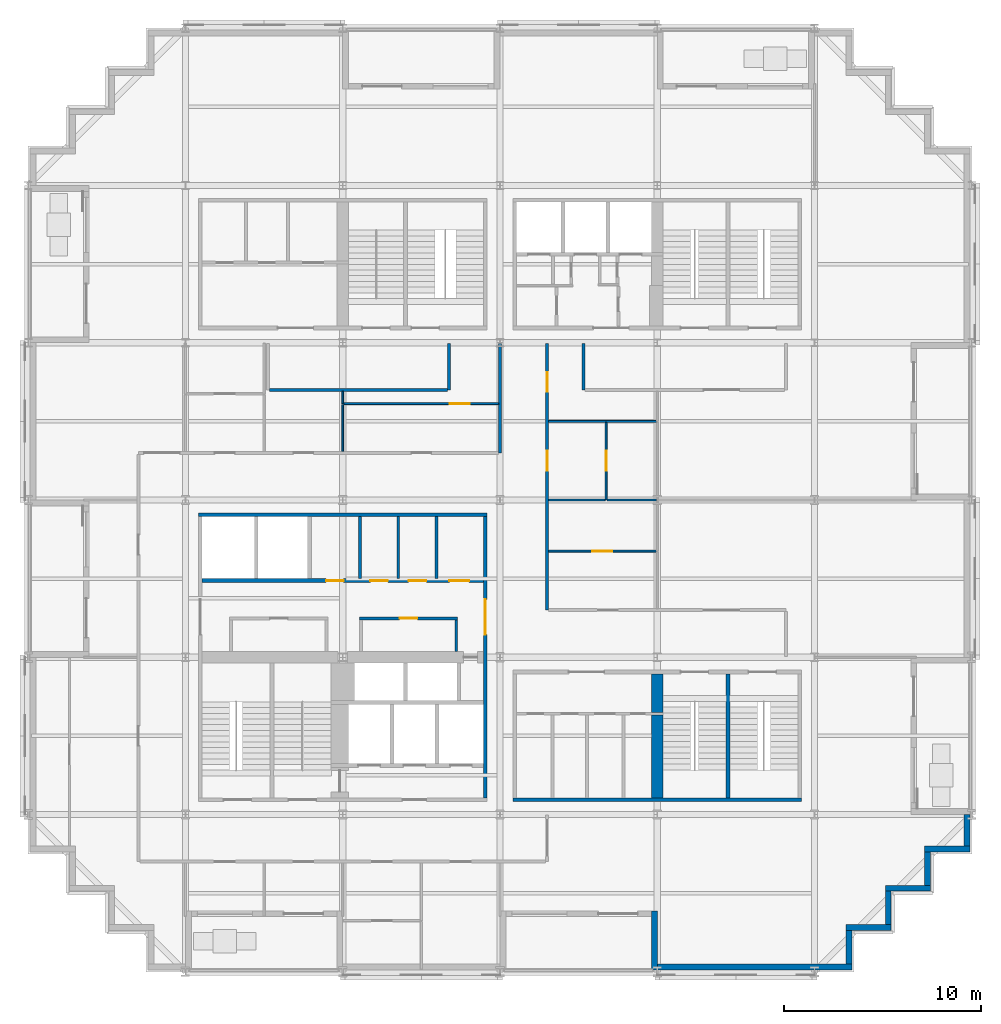
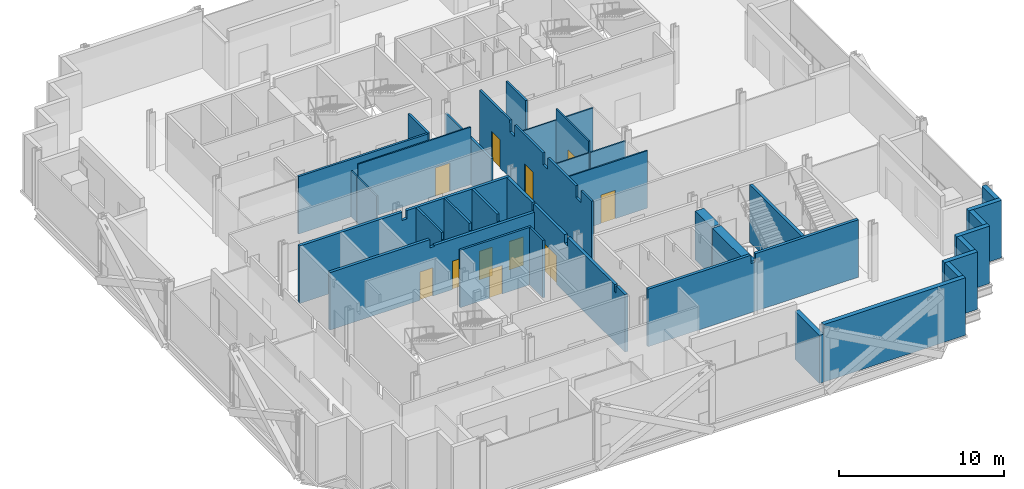
# One storey, part 7 of 14: 35 walls, 11 doors, 11 openings.
"""IFC4 building model written with IfcOpenShell, lengths in metres."""

from ifc_helpers import new_model, si_unit, direction, frame, frame_2d, origin, place, context, subcontext, project, spatial, polyline, rectangle, outline, extrude, material, layer, layer_set, type_object, element, fill, save


model = new_model("IFC4")

# Units and contexts
model_context = context("Model", 3, precision=1e-05, world=origin(), true_north=direction((0.0, 1.0)))
body_context = subcontext(model_context, "Body", "Model", "MODEL_VIEW")
ifc_project = project(units=[si_unit("LENGTHUNIT", "METRE"), si_unit("AREAUNIT", "SQUARE_METRE"), si_unit("VOLUMEUNIT", "CUBIC_METRE"), si_unit("PLANEANGLEUNIT", "RADIAN"), si_unit("MASSUNIT", "GRAM", prefix="KILO")], contexts=[model_context])

# Site, building, storey
site_placement = place(None, origin())
site = spatial("IfcSite", under=ifc_project, at=site_placement, CompositionType="ELEMENT")
building_placement = place(site_placement, origin())
building = spatial("IfcBuilding", under=site, at=building_placement, Name="Immortelle Media Tower", CompositionType="ELEMENT")
storey_placement = place(building_placement, frame((0.0, 0.0, 43.60009765625)))
storey = spatial("IfcBuildingStorey", under=building, at=storey_placement, Name="L06", CompositionType="ELEMENT", Elevation=43.60009765625)

# Wall
ifc_material_1 = material(Name="Fire-rated gypsum board", Category="gypsum")
ifc_layer_1 = layer(ifc_material_1, 0.02490234375)
ifc_material_2 = material(Name="Steel ASTM A653 SS Gr 50 stud frame with mineral wool", Category="steel")
ifc_layer_2 = layer(ifc_material_2, 0.10009765625)
ifc_layer_3 = layer(ifc_material_1, 0.02490234375)
ifc_layer_set_1 = layer_set([ifc_layer_1, ifc_layer_2, ifc_layer_3], Name="Steel ASTM A653 SS Gr 50 stud frame with mineral wool")
wall_type_1 = type_object("IfcWallType", Name="Core partition 150", PredefinedType="PARTITIONING", material=ifc_layer_set_1)
wall_1_placement = place(storey_placement, frame((16.875, 20.0, 0.0), z_axis=(0.0, 0.0, 1.0), x_axis=(0.0, 1.0, 0.0)))
element("IfcWall", 1, at=wall_1_placement, inside=storey, type_object=wall_type_1, Name="Core partition SW", PredefinedType="PARTITIONING", context=body_context, shape_type="SweptSolid", body=[
    extrude(outline(polyline([(0.0, 0.0), (3.14990234375, 0.0), (3.14990234375, 4.25), (0.08837890625, 4.25), (0.08740234375, 3.7080078125), (0.0, 3.7080078125), (0.0, 0.0)])), frame((0.0, 0.074951171875, 0.0), z_axis=(0.0, -1.0, 0.0), x_axis=(1.0, 0.0, 0.0)), (0.0, 0.0, 1.0), 0.14990234375),
])

# Wall, opening, door
wall_2_placement = place(storey_placement, frame((16.85009765625, 17.97509765625, 0.0), z_axis=(0.0, 0.0, 1.0), x_axis=(1.0, 0.0, 0.0)))
wall_2 = element("IfcWall", 2, at=wall_2_placement, inside=storey, type_object=wall_type_1, Name="Core partition SW", PredefinedType="PARTITIONING", context=body_context, shape_type="SweptSolid", body=[
    extrude(rectangle(XDim=5.0, YDim=0.14990234375, at=frame_2d((2.5, 0.0))), origin(), (0.0, 0.0, 1.0), 4.25),
])
opening_1_placement = place(wall_2_placement, frame((2.949951171875, 0.0, 0.0), z_axis=(0.0, 0.0, 1.0), x_axis=(-1.0, 0.0, 0.0)))
opening_1 = element("IfcOpeningElement", 3, at=opening_1_placement, cuts=wall_2, Name="Opening N1-K037", PredefinedType="OPENING", context=body_context, shape_type="SweptSolid", body=[
    extrude(rectangle(XDim=0.89990234375, YDim=2.10009765625, at=frame_2d((0.449951171875, 1.050048828125))), frame((0.0, 0.0849609375, 0.0), z_axis=(0.0, -1.0, 0.0), x_axis=(1.0, 0.0, 0.0)), (0.0, 0.0, 1.0), 0.169921875),
])
ifc_material_3 = material(Name="Timber", Category="wood")
door_type_1 = type_object("IfcDoorType", Name="Room door 900 x 2100", OperationType="NOTDEFINED", PredefinedType="NOTDEFINED", material=ifc_material_3)
door_1_placement = place(opening_1_placement, origin())
door_1 = element("IfcDoor", 4, at=door_1_placement, inside=storey, type_object=door_type_1, Name="Room N1-K037", OperationType="SINGLE_SWING_LEFT", OverallHeight=2.10009765625, OverallWidth=0.89990234375, PredefinedType="NOTDEFINED", context=body_context, shape_type="SweptSolid", body=[
    extrude(rectangle(XDim=0.89990234375, YDim=2.10009765625, at=frame_2d((0.449951171875, 1.050048828125))), frame((0.0, 0.02490234375, 0.0), z_axis=(0.0, -1.0, 0.0), x_axis=(1.0, 0.0, 0.0)), (0.0, 0.0, 1.0), 0.050048828125),
])
fill(opening_1, door_1)

# Walls
for number, where, z_axis, x_axis, name in (
    (5, (18.824951171875, 20.0, 0.0), (0.0, 0.0, 1.0), (0.0, 1.0, 0.0), "Core partition SW"),
    (6, (20.77490234375, 20.0, 0.0), (0.0, 0.0, 1.0), (0.0, 1.0, 0.0), "Core partition SW"),
):
    element("IfcWall", number, at=place(storey_placement, frame(where, z_axis=z_axis, x_axis=x_axis)), inside=storey, type_object=wall_type_1, Name=name, PredefinedType="PARTITIONING", context=body_context, shape_type="SweptSolid", body=[
        extrude(outline(polyline([(0.0, 0.0), (3.14990234375, 0.0), (3.14990234375, 4.25), (0.08837890625, 4.25), (0.08740234375, 3.7080078125), (0.0, 3.7080078125), (0.0, 0.0)])), frame((0.0, 0.074951171875, 0.0), z_axis=(0.0, -1.0, 0.0), x_axis=(1.0, 0.0, 0.0)), (0.0, 0.0, 1.0), 0.14990234375),
    ])
wall_3_placement = place(storey_placement, frame((21.77490234375, 16.300048828125, 0.0), z_axis=(0.0, 0.0, 1.0), x_axis=(0.0, 1.0, 0.0)))
element("IfcWall", 7, at=wall_3_placement, inside=storey, type_object=wall_type_1, Name="Core partition SW", PredefinedType="PARTITIONING", context=body_context, shape_type="SweptSolid", body=[
    extrude(rectangle(XDim=1.599853515625, YDim=0.14990234375, at=frame_2d((0.7998046875, 0.0))), origin(), (0.0, 0.0, 1.0), 4.25),
])
ifc_layer_4 = layer(ifc_material_1, 0.03759765625)
ifc_layer_5 = layer(ifc_material_2, 0.125)
ifc_layer_6 = layer(ifc_material_1, 0.03759765625)
ifc_layer_set_2 = layer_set([ifc_layer_4, ifc_layer_5, ifc_layer_6], Name="Steel ASTM A653 SS Gr 50 stud frame with mineral wool")
wall_type_2 = type_object("IfcWallType", Name="Core shaft wall 200", PredefinedType="PARTITIONING", material=ifc_layer_set_2)
wall_4_placement = place(storey_placement, frame((8.64990234375, 23.25, 0.0), z_axis=(0.0, 0.0, 1.0), x_axis=(1.0, 0.0, 0.0)))
element("IfcWall", 8, at=wall_4_placement, inside=storey, type_object=wall_type_2, Name="Core shaft wall SW", PredefinedType="PARTITIONING", context=body_context, shape_type="SweptSolid", body=[
    extrude(outline(polyline([(0.0, 0.0), (14.7001953125, 0.0), (14.699951171875, 4.25), (7.51708984375, 4.25), (7.51611328125, 3.6318359375), (7.18408203125, 3.6318359375), (7.18310546875, 4.25), (0.0, 4.25), (0.0, 0.0)])), frame((0.0, 0.10009765625, 0.0), z_axis=(0.0, -1.0, 0.0), x_axis=(1.0, 0.0, 0.0)), (0.0, 0.0, 1.0), 0.199951171875),
])

# Wall, openings, doors
wall_5_placement = place(storey_placement, frame((8.85009765625, 19.89990234375, 0.0), z_axis=(0.0, 0.0, 1.0), x_axis=(1.0, 0.0, 0.0)))
wall_5 = element("IfcWall", 9, at=wall_5_placement, inside=storey, type_object=wall_type_2, Name="Core shaft wall SW", PredefinedType="PARTITIONING", context=body_context, shape_type="SweptSolid", body=[
    extrude(outline(polyline([(0.0, 0.0), (14.2998046875, 0.0), (14.300048828125, 3.7080078125), (7.31689453125, 3.7080078125), (7.31591796875, 3.6318359375), (6.98388671875, 3.6318359375), (6.98291015625, 4.25), (0.0, 4.25), (0.0, 0.0)])), frame((0.0, 0.10009765625, 0.0), z_axis=(0.0, -1.0, 0.0), x_axis=(1.0, 0.0, 0.0)), (0.0, 0.0, 1.0), 0.199951171875),
])
opening_2_placement = place(wall_5_placement, frame((6.300048828125, 0.0, 0.0)))
opening_2 = element("IfcOpeningElement", 10, at=opening_2_placement, cuts=wall_5, Name="Opening N1-K035", PredefinedType="OPENING", context=body_context, shape_type="SweptSolid", body=[
    extrude(rectangle(XDim=0.89990234375, YDim=2.10009765625, at=frame_2d((0.449951171875, 1.050048828125))), frame((0.0, 0.10986328125, 0.0), z_axis=(0.0, -1.0, 0.0), x_axis=(1.0, 0.0, 0.0)), (0.0, 0.0, 1.0), 0.219970703125),
])
opening_3_placement = place(wall_5_placement, frame((8.550048828125, 0.0, 0.0)))
opening_3 = element("IfcOpeningElement", 11, at=opening_3_placement, cuts=wall_5, Name="Opening N1-K036", PredefinedType="OPENING", context=body_context, shape_type="SweptSolid", body=[
    extrude(rectangle(XDim=0.89990234375, YDim=2.10009765625, at=frame_2d((0.449951171875, 1.050048828125))), frame((0.0, 0.10986328125, 0.0), z_axis=(0.0, -1.0, 0.0), x_axis=(1.0, 0.0, 0.0)), (0.0, 0.0, 1.0), 0.219970703125),
])
opening_4_placement = place(wall_5_placement, frame((10.5, 0.0, 0.0)))
opening_4 = element("IfcOpeningElement", 12, at=opening_4_placement, cuts=wall_5, Name="Opening N1-K038", PredefinedType="OPENING", context=body_context, shape_type="SweptSolid", body=[
    extrude(rectangle(XDim=0.89990234375, YDim=2.10009765625, at=frame_2d((0.449951171875, 1.050048828125))), frame((0.0, 0.10986328125, 0.0), z_axis=(0.0, -1.0, 0.0), x_axis=(1.0, 0.0, 0.0)), (0.0, 0.0, 1.0), 0.219970703125),
])
opening_5_placement = place(wall_5_placement, frame((12.574951171875, 0.0, 0.0)))
opening_5 = element("IfcOpeningElement", 13, at=opening_5_placement, cuts=wall_5, Name="Opening N1-K039", PredefinedType="OPENING", context=body_context, shape_type="SweptSolid", body=[
    extrude(rectangle(XDim=1.0, YDim=2.10009765625, at=frame_2d((0.5, 1.050048828125))), frame((0.0, 0.10986328125, 0.0), z_axis=(0.0, -1.0, 0.0), x_axis=(1.0, 0.0, 0.0)), (0.0, 0.0, 1.0), 0.219970703125),
])
door_type_2 = type_object("IfcDoorType", Name="Accessible toilet door 1000 x 2100", OperationType="NOTDEFINED", PredefinedType="NOTDEFINED", material=ifc_material_3)
door_2_placement = place(opening_5_placement, origin())
door_2 = element("IfcDoor", 14, at=door_2_placement, inside=storey, type_object=door_type_2, Name="Accessible toilet N1-K039", OperationType="SINGLE_SWING_LEFT", OverallHeight=2.10009765625, OverallWidth=1.0, PredefinedType="NOTDEFINED", context=body_context, shape_type="SweptSolid", body=[
    extrude(rectangle(XDim=1.0, YDim=2.10009765625, at=frame_2d((0.5, 1.050048828125))), frame((0.0, 0.02490234375, 0.0), z_axis=(0.0, -1.0, 0.0), x_axis=(1.0, 0.0, 0.0)), (0.0, 0.0, 1.0), 0.050048828125),
])
fill(opening_5, door_2)
door_3_placement = place(opening_2_placement, origin())
door_3 = element("IfcDoor", 15, at=door_3_placement, inside=storey, type_object=door_type_1, Name="Room N1-K035", OperationType="SINGLE_SWING_LEFT", OverallHeight=2.10009765625, OverallWidth=0.89990234375, PredefinedType="NOTDEFINED", context=body_context, shape_type="SweptSolid", body=[
    extrude(rectangle(XDim=0.89990234375, YDim=2.10009765625, at=frame_2d((0.449951171875, 1.050048828125))), frame((0.0, 0.02490234375, 0.0), z_axis=(0.0, -1.0, 0.0), x_axis=(1.0, 0.0, 0.0)), (0.0, 0.0, 1.0), 0.050048828125),
])
fill(opening_2, door_3)
door_type_3 = type_object("IfcDoorType", Name="Toilet door 900 x 2100", OperationType="NOTDEFINED", PredefinedType="NOTDEFINED", material=ifc_material_3)
door_4_placement = place(opening_3_placement, origin())
door_4 = element("IfcDoor", 16, at=door_4_placement, inside=storey, type_object=door_type_3, Name="Toilet N1-K036", OperationType="SINGLE_SWING_RIGHT", OverallHeight=2.10009765625, OverallWidth=0.89990234375, PredefinedType="NOTDEFINED", context=body_context, shape_type="SweptSolid", body=[
    extrude(rectangle(XDim=0.89990234375, YDim=2.10009765625, at=frame_2d((0.449951171875, 1.050048828125))), frame((0.0, 0.02490234375, 0.0), z_axis=(0.0, -1.0, 0.0), x_axis=(1.0, 0.0, 0.0)), (0.0, 0.0, 1.0), 0.050048828125),
])
fill(opening_3, door_4)
door_5_placement = place(opening_4_placement, origin())
door_5 = element("IfcDoor", 17, at=door_5_placement, inside=storey, type_object=door_type_3, Name="Toilet N1-K038", OperationType="SINGLE_SWING_RIGHT", OverallHeight=2.10009765625, OverallWidth=0.89990234375, PredefinedType="NOTDEFINED", context=body_context, shape_type="SweptSolid", body=[
    extrude(rectangle(XDim=0.89990234375, YDim=2.10009765625, at=frame_2d((0.449951171875, 1.050048828125))), frame((0.0, 0.02490234375, 0.0), z_axis=(0.0, -1.0, 0.0), x_axis=(1.0, 0.0, 0.0)), (0.0, 0.0, 1.0), 0.050048828125),
])
fill(opening_4, door_5)

# Wall, opening, door
wall_6_placement = place(storey_placement, frame((23.25, 8.85009765625, 0.0), z_axis=(0.0, 0.0, 1.0), x_axis=(0.0, 1.0, 0.0)))
wall_6 = element("IfcWall", 18, at=wall_6_placement, inside=storey, type_object=wall_type_2, Name="Core shaft wall SW", PredefinedType="PARTITIONING", context=body_context, shape_type="SweptSolid", body=[
    extrude(outline(polyline([(0.0, 0.0), (14.2998046875, 0.0), (14.300048828125, 4.25), (11.238525390625, 4.25), (11.237548828125, 3.7080078125), (11.0625, 3.7080078125), (11.0615234375, 4.25), (7.31689453125, 4.25), (7.31591796875, 3.6318359375), (6.98388671875, 3.6318359375), (6.98291015625, 4.25), (1.238525390625, 4.25), (1.237548828125, 3.7080078125), (1.0625, 3.7080078125), (1.0615234375, 4.25), (0.0, 4.25), (0.0, 0.0)])), frame((0.0, 0.10009765625, 0.0), z_axis=(0.0, -1.0, 0.0), x_axis=(1.0, 0.0, 0.0)), (0.0, 0.0, 1.0), 0.199951171875),
])
opening_6_placement = place(wall_6_placement, frame((8.300048828125, 0.0, 0.0)))
opening_6 = element("IfcOpeningElement", 19, at=opening_6_placement, cuts=wall_6, Name="Opening N1-K014", PredefinedType="OPENING", context=body_context, shape_type="SweptSolid", body=[
    extrude(rectangle(XDim=1.800048828125, YDim=2.10009765625, at=frame_2d((0.89990234375, 1.050048828125))), frame((0.0, 0.10986328125, 0.0), z_axis=(0.0, -1.0, 0.0), x_axis=(1.0, 0.0, 0.0)), (0.0, 0.0, 1.0), 0.219970703125),
])
ifc_material_4 = material(Name="Galvanised steel door leaf and frame ASTM A653", Category="steel")
door_type_4 = type_object("IfcDoorType", Name="Lift lobby door 1800 x 2100", OperationType="DOUBLE_DOOR_SINGLE_SWING", PredefinedType="NOTDEFINED", material=ifc_material_4)
door_6_placement = place(opening_6_placement, origin())
door_6 = element("IfcDoor", 20, at=door_6_placement, inside=storey, type_object=door_type_4, Name="Lift lobby N1-K014", OperationType="DOUBLE_DOOR_SINGLE_SWING", OverallHeight=2.10009765625, OverallWidth=1.800048828125, PredefinedType="NOTDEFINED", context=body_context, shape_type="SweptSolid", body=[
    extrude(rectangle(XDim=1.800048828125, YDim=2.10009765625, at=frame_2d((0.89990234375, 1.050048828125))), frame((0.0, 0.02490234375, 0.0), z_axis=(0.0, -1.0, 0.0), x_axis=(1.0, 0.0, 0.0)), (0.0, 0.0, 1.0), 0.050048828125),
])
fill(opening_6, door_6)

# Wall, openings, doors
ifc_layer_7 = layer(ifc_material_1, 0.012451171875)
ifc_layer_8 = layer(ifc_material_2, 0.125)
ifc_layer_9 = layer(ifc_material_1, 0.012451171875)
ifc_layer_set_3 = layer_set([ifc_layer_7, ifc_layer_8, ifc_layer_9], Name="Steel ASTM A653 SS Gr 50 stud frame with mineral wool")
wall_type_3 = type_object("IfcWallType", Name="Corridor wall 150", PredefinedType="PARTITIONING", material=ifc_layer_set_3)
wall_7_placement = place(storey_placement, frame((26.39990234375, 18.39990234375, 0.0), z_axis=(0.0, 0.0, 1.0), x_axis=(0.0, 1.0, 0.0)))
wall_7 = element("IfcWall", 21, at=wall_7_placement, inside=storey, type_object=wall_type_3, Name="Partition L06-016", PredefinedType="PARTITIONING", context=body_context, shape_type="SweptSolid", body=[
    extrude(outline(polyline([(0.0, 0.0), (13.570068359375, 0.0), (13.570068359375, 4.25), (9.89990234375, 4.25), (9.89794921875, 3.390869140625), (9.302001953125, 3.390869140625), (9.300048828125, 4.25), (5.89990234375, 4.25), (5.89794921875, 3.390869140625), (5.302001953125, 3.390869140625), (5.300048828125, 4.25), (1.89990234375, 4.25), (1.89794921875, 3.390869140625), (1.302001953125, 3.390869140625), (1.300048828125, 4.25), (0.0, 4.25), (0.0, 0.0)])), frame((0.0, 0.074951171875, 0.0), z_axis=(0.0, -1.0, 0.0), x_axis=(1.0, 0.0, 0.0)), (0.0, 0.0, 1.0), 0.14990234375),
])
opening_7_placement = place(wall_7_placement, frame((8.10009765625, 0.0, 0.0), z_axis=(0.0, 0.0, 1.0), x_axis=(-1.0, 0.0, 0.0)))
opening_7 = element("IfcOpeningElement", 22, at=opening_7_placement, cuts=wall_7, Name="Opening N1-F013", PredefinedType="OPENING", context=body_context, shape_type="SweptSolid", body=[
    extrude(rectangle(XDim=1.0, YDim=2.10009765625, at=frame_2d((0.5, 1.050048828125))), frame((0.0, 0.0849609375, 0.0), z_axis=(0.0, -1.0, 0.0), x_axis=(1.0, 0.0, 0.0)), (0.0, 0.0, 1.0), 0.169921875),
])
opening_8_placement = place(wall_7_placement, frame((12.10009765625, 0.0, 0.0), z_axis=(0.0, 0.0, 1.0), x_axis=(-1.0, 0.0, 0.0)))
opening_8 = element("IfcOpeningElement", 23, at=opening_8_placement, cuts=wall_7, Name="Opening N1-F015", PredefinedType="OPENING", context=body_context, shape_type="SweptSolid", body=[
    extrude(rectangle(XDim=1.0, YDim=2.10009765625, at=frame_2d((0.5, 1.050048828125))), frame((0.0, 0.0849609375, 0.0), z_axis=(0.0, -1.0, 0.0), x_axis=(1.0, 0.0, 0.0)), (0.0, 0.0, 1.0), 0.169921875),
])
ifc_material_5 = material(Name="Timber veneered door leaf, galvanised steel frame ASTM A653", Category="steel")
door_type_5 = type_object("IfcDoorType", Name="Room door 1000 x 2100", OperationType="NOTDEFINED", PredefinedType="DOOR", material=ifc_material_5)
door_7_placement = place(opening_7_placement, origin())
door_7 = element("IfcDoor", 24, at=door_7_placement, inside=storey, type_object=door_type_5, Name="Door N1-F013", OperationType="SINGLE_SWING_LEFT", OverallHeight=2.10009765625, OverallWidth=1.0, PredefinedType="DOOR", context=body_context, shape_type="SweptSolid", body=[
    extrude(rectangle(XDim=1.0, YDim=2.10009765625, at=frame_2d((0.5, 1.050048828125))), frame((0.0, 0.02490234375, 0.0), z_axis=(0.0, -1.0, 0.0), x_axis=(1.0, 0.0, 0.0)), (0.0, 0.0, 1.0), 0.050048828125),
])
fill(opening_7, door_7)
door_8_placement = place(opening_8_placement, origin())
door_8 = element("IfcDoor", 25, at=door_8_placement, inside=storey, type_object=door_type_5, Name="Door N1-F015", OperationType="SINGLE_SWING_LEFT", OverallHeight=2.10009765625, OverallWidth=1.0, PredefinedType="DOOR", context=body_context, shape_type="SweptSolid", body=[
    extrude(rectangle(XDim=1.0, YDim=2.10009765625, at=frame_2d((0.5, 1.050048828125))), frame((0.0, 0.02490234375, 0.0), z_axis=(0.0, -1.0, 0.0), x_axis=(1.0, 0.0, 0.0)), (0.0, 0.0, 1.0), 0.050048828125),
])
fill(opening_8, door_8)

# Walls
wall_8_placement = place(storey_placement, frame((24.0, 26.39990234375, 0.0), z_axis=(0.0, 0.0, 1.0), x_axis=(0.0, 1.0, 0.0)))
element("IfcWall", 26, at=wall_8_placement, inside=storey, type_object=wall_type_3, Name="Partition L06-030", PredefinedType="PARTITIONING", context=body_context, shape_type="SweptSolid", body=[
    extrude(rectangle(XDim=5.570068359375, YDim=0.14990234375, at=frame_2d((2.78515625, 0.0))), origin(), (0.0, 0.0, 1.0), 3.390869140625),
])
wall_9_placement = place(storey_placement, frame((12.27490234375, 29.60009765625, 0.0), z_axis=(0.0, 0.0, 1.0), x_axis=(1.0, 0.0, 0.0)))
element("IfcWall", 27, at=wall_9_placement, inside=storey, type_object=wall_type_3, Name="Partition L06-039", PredefinedType="PARTITIONING", context=body_context, shape_type="SweptSolid", body=[
    extrude(rectangle(XDim=9.050048828125, YDim=0.14990234375, at=frame_2d((4.52490234375, 0.0))), origin(), (0.0, 0.0, 1.0), 4.25),
])
for number, where, z_axis, x_axis, name in (
    (28, (21.39990234375, 29.60009765625, 0.0), (0.0, 0.0, 1.0), (0.0, 1.0, 0.0), "Partition L06-041"),
    (29, (28.25, 29.60009765625, 0.0), (0.0, 0.0, 1.0), (0.0, 1.0, 0.0), "Partition L06-043"),
):
    element("IfcWall", number, at=place(storey_placement, frame(where, z_axis=z_axis, x_axis=x_axis)), inside=storey, type_object=wall_type_3, Name=name, PredefinedType="PARTITIONING", context=body_context, shape_type="SweptSolid", body=[
        extrude(rectangle(XDim=2.369873046875, YDim=0.14990234375, at=frame_2d((1.18505859375, 0.0))), origin(), (0.0, 0.0, 1.0), 4.25),
    ])
ifc_material_6 = material(Name="Pale aluminium cladding panel", Category="aluminium")
ifc_layer_10 = layer(ifc_material_6, 0.030029296875)
ifc_layer_11 = layer(ifc_material_2, 0.257568359375)
ifc_material_7 = material(Name="Moisture-resistant gypsum board", Category="gypsum")
ifc_layer_12 = layer(ifc_material_7, 0.012451171875)
ifc_layer_set_4 = layer_set([ifc_layer_10, ifc_layer_11, ifc_layer_12], Name="Steel ASTM A653 SS Gr 50 stud frame with mineral wool")
wall_type_4 = type_object("IfcWallType", Name="Facade wall 300", PredefinedType="SOLIDWALL", material=ifc_layer_set_4)
wall_10_placement = place(storey_placement, frame((31.85009765625, 0.10009765625, 0.0), z_axis=(0.0, 0.0, 1.0), x_axis=(0.0, 1.0, 0.0)))
element("IfcWall", 30, at=wall_10_placement, inside=storey, type_object=wall_type_4, Name="Loggia cheek wall L06 S", PredefinedType="SOLIDWALL", context=body_context, shape_type="SweptSolid", body=[
    extrude(rectangle(XDim=3.0, YDim=0.300048828125, at=frame_2d((1.5, 0.0))), origin(), (0.0, 0.0, 1.0), 3.552978515625),
])
wall_11_placement = place(storey_placement, frame((32.0, 0.25, 0.0), z_axis=(0.0, 0.0, 1.0), x_axis=(1.0, 0.0, 0.0)))
element("IfcWall", 31, at=wall_11_placement, inside=storey, type_object=wall_type_4, Name="Facade wall L06 S7", PredefinedType="SOLIDWALL", context=body_context, shape_type="SweptSolid", body=[
    extrude(rectangle(XDim=9.89990234375, YDim=0.300048828125, at=frame_2d((4.949951171875, 0.0))), origin(), (0.0, 0.0, 1.0), 4.25),
])
wall_12_placement = place(storey_placement, frame((41.75, 0.39990234375, 0.0), z_axis=(0.0, 0.0, 1.0), x_axis=(0.0, 1.0, 0.0)))
element("IfcWall", 32, at=wall_12_placement, inside=storey, type_object=wall_type_4, Name="Facade wall L06 E8", PredefinedType="SOLIDWALL", context=body_context, shape_type="SweptSolid", body=[
    extrude(rectangle(XDim=1.7001953125, YDim=0.300048828125, at=frame_2d((0.85009765625, 0.0))), origin(), (0.0, 0.0, 1.0), 4.25),
])
wall_13_placement = place(storey_placement, frame((41.60009765625, 2.25, 0.0), z_axis=(0.0, 0.0, 1.0), x_axis=(1.0, 0.0, 0.0)))
element("IfcWall", 33, at=wall_13_placement, inside=storey, type_object=wall_type_4, Name="Facade wall L06 S9", PredefinedType="SOLIDWALL", context=body_context, shape_type="SweptSolid", body=[
    extrude(rectangle(XDim=2.2998046875, YDim=0.300048828125, at=frame_2d((1.14990234375, 0.0))), origin(), (0.0, 0.0, 1.0), 4.25),
])
wall_14_placement = place(storey_placement, frame((43.75, 2.39990234375, 0.0), z_axis=(0.0, 0.0, 1.0), x_axis=(0.0, 1.0, 0.0)))
element("IfcWall", 34, at=wall_14_placement, inside=storey, type_object=wall_type_4, Name="Facade wall L06 E10", PredefinedType="SOLIDWALL", context=body_context, shape_type="SweptSolid", body=[
    extrude(rectangle(XDim=1.7001953125, YDim=0.300048828125, at=frame_2d((0.85009765625, 0.0))), origin(), (0.0, 0.0, 1.0), 4.25),
])
wall_15_placement = place(storey_placement, frame((43.60009765625, 4.25, 0.0), z_axis=(0.0, 0.0, 1.0), x_axis=(1.0, 0.0, 0.0)))
element("IfcWall", 35, at=wall_15_placement, inside=storey, type_object=wall_type_4, Name="Facade wall L06 S11", PredefinedType="SOLIDWALL", context=body_context, shape_type="SweptSolid", body=[
    extrude(rectangle(XDim=2.2998046875, YDim=0.300048828125, at=frame_2d((1.14990234375, 0.0))), origin(), (0.0, 0.0, 1.0), 4.25),
])
wall_16_placement = place(storey_placement, frame((45.75, 4.39990234375, 0.0), z_axis=(0.0, 0.0, 1.0), x_axis=(0.0, 1.0, 0.0)))
element("IfcWall", 36, at=wall_16_placement, inside=storey, type_object=wall_type_4, Name="Facade wall L06 E12", PredefinedType="SOLIDWALL", context=body_context, shape_type="SweptSolid", body=[
    extrude(rectangle(XDim=1.7001953125, YDim=0.300048828125, at=frame_2d((0.85009765625, 0.0))), origin(), (0.0, 0.0, 1.0), 4.25),
])
wall_17_placement = place(storey_placement, frame((45.60009765625, 6.25, 0.0), z_axis=(0.0, 0.0, 1.0), x_axis=(1.0, 0.0, 0.0)))
element("IfcWall", 37, at=wall_17_placement, inside=storey, type_object=wall_type_4, Name="Facade wall L06 S13", PredefinedType="SOLIDWALL", context=body_context, shape_type="SweptSolid", body=[
    extrude(rectangle(XDim=2.2998046875, YDim=0.300048828125, at=frame_2d((1.14990234375, 0.0))), origin(), (0.0, 0.0, 1.0), 4.25),
])
wall_18_placement = place(storey_placement, frame((47.75, 6.39990234375, 0.0), z_axis=(0.0, 0.0, 1.0), x_axis=(0.0, 1.0, 0.0)))
element("IfcWall", 38, at=wall_18_placement, inside=storey, type_object=wall_type_4, Name="Facade wall L06 E14", PredefinedType="SOLIDWALL", context=body_context, shape_type="SweptSolid", body=[
    extrude(rectangle(XDim=1.60009765625, YDim=0.300048828125, at=frame_2d((0.800048828125, 0.0))), origin(), (0.0, 0.0, 1.0), 4.25),
])

# Wall, opening, door
ifc_material_8 = material(Name="Gypsum board", Category="gypsum")
ifc_layer_13 = layer(ifc_material_8, 0.012451171875)
ifc_layer_14 = layer(ifc_material_2, 0.074951171875)
ifc_layer_15 = layer(ifc_material_8, 0.012451171875)
ifc_layer_set_5 = layer_set([ifc_layer_13, ifc_layer_14, ifc_layer_15], Name="Steel ASTM A653 SS Gr 50 stud frame with mineral wool")
wall_type_5 = type_object("IfcWallType", Name="Partition 100", PredefinedType="PARTITIONING", material=ifc_layer_set_5)
wall_19_placement = place(storey_placement, frame((26.47509765625, 21.39990234375, 0.0), z_axis=(0.0, 0.0, 1.0), x_axis=(1.0, 0.0, 0.0)))
wall_19 = element("IfcWall", 39, at=wall_19_placement, inside=storey, type_object=wall_type_5, Name="Partition L06-018", PredefinedType="PARTITIONING", context=body_context, shape_type="SweptSolid", body=[
    extrude(rectangle(XDim=5.474853515625, YDim=0.10009765625, at=frame_2d((2.7373046875, 0.0))), origin(), (0.0, 0.0, 1.0), 4.25),
])
opening_9_placement = place(wall_19_placement, frame((3.22509765625, 0.0, 0.0), z_axis=(0.0, 0.0, 1.0), x_axis=(-1.0, 0.0, 0.0)))
opening_9 = element("IfcOpeningElement", 40, at=opening_9_placement, cuts=wall_19, Name="Opening N1-F012", PredefinedType="OPENING", context=body_context, shape_type="SweptSolid", body=[
    extrude(rectangle(XDim=1.0, YDim=2.10009765625, at=frame_2d((0.5, 1.050048828125))), frame((0.0, 0.06005859375, 0.0), z_axis=(0.0, -1.0, 0.0), x_axis=(1.0, 0.0, 0.0)), (0.0, 0.0, 1.0), 0.1201171875),
])
door_9_placement = place(opening_9_placement, origin())
door_9 = element("IfcDoor", 41, at=door_9_placement, inside=storey, type_object=door_type_5, Name="Door N1-F012", OperationType="SINGLE_SWING_RIGHT", OverallHeight=2.10009765625, OverallWidth=1.0, PredefinedType="DOOR", context=body_context, shape_type="SweptSolid", body=[
    extrude(rectangle(XDim=1.0, YDim=2.10009765625, at=frame_2d((0.5, 1.050048828125))), frame((0.0, 0.02490234375, 0.0), z_axis=(0.0, -1.0, 0.0), x_axis=(1.0, 0.0, 0.0)), (0.0, 0.0, 1.0), 0.050048828125),
])
fill(opening_9, door_9)

# Walls
wall_20_placement = place(storey_placement, frame((26.47509765625, 24.0, 0.0), z_axis=(0.0, 0.0, 1.0), x_axis=(1.0, 0.0, 0.0)))
element("IfcWall", 42, at=wall_20_placement, inside=storey, type_object=wall_type_5, Name="Partition L06-021", PredefinedType="PARTITIONING", context=body_context, shape_type="SweptSolid", body=[
    extrude(rectangle(XDim=2.875, YDim=0.10009765625, at=frame_2d((1.4375, 0.0))), origin(), (0.0, 0.0, 1.0), 3.390869140625),
])
wall_21_placement = place(storey_placement, frame((29.449951171875, 24.0, 0.0), z_axis=(0.0, 0.0, 1.0), x_axis=(1.0, 0.0, 0.0)))
element("IfcWall", 43, at=wall_21_placement, inside=storey, type_object=wall_type_5, Name="Partition L06-022", PredefinedType="PARTITIONING", context=body_context, shape_type="SweptSolid", body=[
    extrude(rectangle(XDim=2.5, YDim=0.10009765625, at=frame_2d((1.25, 0.0))), origin(), (0.0, 0.0, 1.0), 3.390869140625),
])

# Wall, opening, door
wall_22_placement = place(storey_placement, frame((29.39990234375, 24.0, 0.0), z_axis=(0.0, 0.0, 1.0), x_axis=(0.0, 1.0, 0.0)))
wall_22 = element("IfcWall", 44, at=wall_22_placement, inside=storey, type_object=wall_type_5, Name="Partition L06-023", PredefinedType="PARTITIONING", context=body_context, shape_type="SweptSolid", body=[
    extrude(rectangle(XDim=3.949951171875, YDim=0.10009765625, at=frame_2d((1.97509765625, 0.0))), origin(), (0.0, 0.0, 1.0), 4.25),
])
opening_10_placement = place(wall_22_placement, frame((2.5, 0.0, 0.0), z_axis=(0.0, 0.0, 1.0), x_axis=(-1.0, 0.0, 0.0)))
opening_10 = element("IfcOpeningElement", 45, at=opening_10_placement, cuts=wall_22, Name="Opening N1-F014", PredefinedType="OPENING", context=body_context, shape_type="SweptSolid", body=[
    extrude(rectangle(XDim=1.0, YDim=2.10009765625, at=frame_2d((0.5, 1.050048828125))), frame((0.0, 0.06005859375, 0.0), z_axis=(0.0, -1.0, 0.0), x_axis=(1.0, 0.0, 0.0)), (0.0, 0.0, 1.0), 0.1201171875),
])
door_10_placement = place(opening_10_placement, origin())
door_10 = element("IfcDoor", 46, at=door_10_placement, inside=storey, type_object=door_type_5, Name="Door N1-F014", OperationType="SINGLE_SWING_RIGHT", OverallHeight=2.10009765625, OverallWidth=1.0, PredefinedType="DOOR", context=body_context, shape_type="SweptSolid", body=[
    extrude(rectangle(XDim=1.0, YDim=2.10009765625, at=frame_2d((0.5, 1.050048828125))), frame((0.0, 0.02490234375, 0.0), z_axis=(0.0, -1.0, 0.0), x_axis=(1.0, 0.0, 0.0)), (0.0, 0.0, 1.0), 0.050048828125),
])
fill(opening_10, door_10)

# Walls
wall_23_placement = place(storey_placement, frame((16.0, 26.47509765625, 0.0), z_axis=(0.0, 0.0, 1.0), x_axis=(0.0, 1.0, 0.0)))
element("IfcWall", 47, at=wall_23_placement, inside=storey, type_object=wall_type_5, Name="Partition L06-029", PredefinedType="PARTITIONING", context=body_context, shape_type="SweptSolid", body=[
    extrude(rectangle(XDim=2.375, YDim=0.10009765625, at=frame_2d((1.1875, 0.0))), origin(), (0.0, 0.0, 1.0), 3.390869140625),
])
wall_24_placement = place(storey_placement, frame((26.47509765625, 28.0, 0.0), z_axis=(0.0, 0.0, 1.0), x_axis=(1.0, 0.0, 0.0)))
element("IfcWall", 48, at=wall_24_placement, inside=storey, type_object=wall_type_5, Name="Partition L06-031", PredefinedType="PARTITIONING", context=body_context, shape_type="SweptSolid", body=[
    extrude(rectangle(XDim=2.9248046875, YDim=0.10009765625, at=frame_2d((1.46240234375, 0.0))), origin(), (0.0, 0.0, 1.0), 3.390869140625),
])
wall_25_placement = place(storey_placement, frame((29.39990234375, 28.0, 0.0), z_axis=(0.0, 0.0, 1.0), x_axis=(1.0, 0.0, 0.0)))
element("IfcWall", 49, at=wall_25_placement, inside=storey, type_object=wall_type_5, Name="Partition L06-032", PredefinedType="PARTITIONING", context=body_context, shape_type="SweptSolid", body=[
    extrude(rectangle(XDim=2.550048828125, YDim=0.10009765625, at=frame_2d((1.27490234375, 0.0))), origin(), (0.0, 0.0, 1.0), 3.390869140625),
])

# Wall, opening, door
wall_26_placement = place(storey_placement, frame((16.050048828125, 28.89990234375, 0.0), z_axis=(0.0, 0.0, 1.0), x_axis=(1.0, 0.0, 0.0)))
wall_26 = element("IfcWall", 50, at=wall_26_placement, inside=storey, type_object=wall_type_5, Name="Partition L06-034", PredefinedType="PARTITIONING", context=body_context, shape_type="SweptSolid", body=[
    extrude(rectangle(XDim=7.875, YDim=0.10009765625, at=frame_2d((3.9375, 0.0))), origin(), (0.0, 0.0, 1.0), 4.25),
])
opening_11_placement = place(wall_26_placement, frame((6.39990234375, 0.0, 0.0), z_axis=(0.0, 0.0, 1.0), x_axis=(-1.0, 0.0, 0.0)))
opening_11 = element("IfcOpeningElement", 51, at=opening_11_placement, cuts=wall_26, Name="Opening N1-F017", PredefinedType="OPENING", context=body_context, shape_type="SweptSolid", body=[
    extrude(rectangle(XDim=1.0, YDim=2.10009765625, at=frame_2d((0.5, 1.050048828125))), frame((0.0, 0.06005859375, 0.0), z_axis=(0.0, -1.0, 0.0), x_axis=(1.0, 0.0, 0.0)), (0.0, 0.0, 1.0), 0.1201171875),
])
door_11_placement = place(opening_11_placement, origin())
door_11 = element("IfcDoor", 52, at=door_11_placement, inside=storey, type_object=door_type_5, Name="Door N1-F017", OperationType="SINGLE_SWING_LEFT", OverallHeight=2.10009765625, OverallWidth=1.0, PredefinedType="DOOR", context=body_context, shape_type="SweptSolid", body=[
    extrude(rectangle(XDim=1.0, YDim=2.10009765625, at=frame_2d((0.5, 1.050048828125))), frame((0.0, 0.02490234375, 0.0), z_axis=(0.0, -1.0, 0.0), x_axis=(1.0, 0.0, 0.0)), (0.0, 0.0, 1.0), 0.050048828125),
])
fill(opening_11, door_11)

# Walls
wall_27_placement = place(storey_placement, frame((16.0, 28.89990234375, 0.0), z_axis=(0.0, 0.0, 1.0), x_axis=(0.0, 1.0, 0.0)))
element("IfcWall", 53, at=wall_27_placement, inside=storey, type_object=wall_type_5, Name="Partition L06-035", PredefinedType="PARTITIONING", context=body_context, shape_type="SweptSolid", body=[
    extrude(rectangle(XDim=0.625, YDim=0.10009765625, at=frame_2d((0.3125, 0.0))), origin(), (0.0, 0.0, 1.0), 3.390869140625),
])
ifc_material_9 = material(Name="Concrete C60", Category="concrete")
ifc_layer_16 = layer(ifc_material_9, 0.199951171875)
ifc_layer_set_6 = layer_set([ifc_layer_16], Name="Concrete C60")
wall_type_6 = type_object("IfcWallType", Name="Stair shaft wall 200", PredefinedType="PARTITIONING", material=ifc_layer_set_6)
wall_28_placement = place(storey_placement, frame((24.64990234375, 8.75, 0.0), z_axis=(0.0, 0.0, 1.0), x_axis=(1.0, 0.0, 0.0)))
element("IfcWall", 54, at=wall_28_placement, inside=storey, type_object=wall_type_6, Name="Stair shaft wall SE", PredefinedType="PARTITIONING", context=body_context, shape_type="SweptSolid", body=[
    extrude(outline(polyline([(0.0, 0.0), (14.7001953125, 0.0), (14.699951171875, 4.25), (7.51708984375, 4.25), (7.51611328125, 3.6318359375), (7.18408203125, 3.6318359375), (7.18310546875, 4.25), (0.0, 4.25), (0.0, 0.0)])), frame((0.0, 0.10009765625, 0.0), z_axis=(0.0, -1.0, 0.0), x_axis=(1.0, 0.0, 0.0)), (0.0, 0.0, 1.0), 0.199951171875),
])
wall_29_placement = place(storey_placement, frame((35.60009765625, 8.85009765625, 0.0), z_axis=(0.0, 0.0, 1.0), x_axis=(0.0, 1.0, 0.0)))
element("IfcWall", 55, at=wall_29_placement, inside=storey, type_object=wall_type_6, Name="Stair shaft wall SE", PredefinedType="PARTITIONING", context=body_context, shape_type="SweptSolid", body=[
    extrude(rectangle(XDim=6.2998046875, YDim=0.199951171875, at=frame_2d((3.14990234375, 0.0))), origin(), (0.0, 0.0, 1.0), 4.25),
])
ifc_layer_17 = layer(ifc_material_9, 0.60009765625)
ifc_layer_set_7 = layer_set([ifc_layer_17], Name="Concrete C60")
wall_type_7 = type_object("IfcWallType", Name="Stair shaft wall 600", PredefinedType="PARTITIONING", material=ifc_layer_set_7)
wall_30_placement = place(storey_placement, frame((32.0, 8.85009765625, 0.0), z_axis=(0.0, 0.0, 1.0), x_axis=(0.0, 1.0, 0.0)))
element("IfcWall", 56, at=wall_30_placement, inside=storey, type_object=wall_type_7, Name="Stair shaft wall SE", PredefinedType="PARTITIONING", context=body_context, shape_type="SweptSolid", body=[
    extrude(rectangle(XDim=4.199951171875, YDim=0.60009765625, at=frame_2d((2.10009765625, 0.0))), origin(), (0.0, 0.0, 1.0), 3.6318359375),
])
wall_31_placement = place(storey_placement, frame((32.0, 13.199951171875, 0.0), z_axis=(0.0, 0.0, 1.0), x_axis=(0.0, 1.0, 0.0)))
element("IfcWall", 57, at=wall_31_placement, inside=storey, type_object=wall_type_7, Name="Stair shaft wall SE", PredefinedType="PARTITIONING", context=body_context, shape_type="SweptSolid", body=[
    extrude(rectangle(XDim=1.949951171875, YDim=0.60009765625, at=frame_2d((0.97509765625, 0.0))), origin(), (0.0, 0.0, 1.0), 3.6318359375),
])

save(model, "model.ifc")
